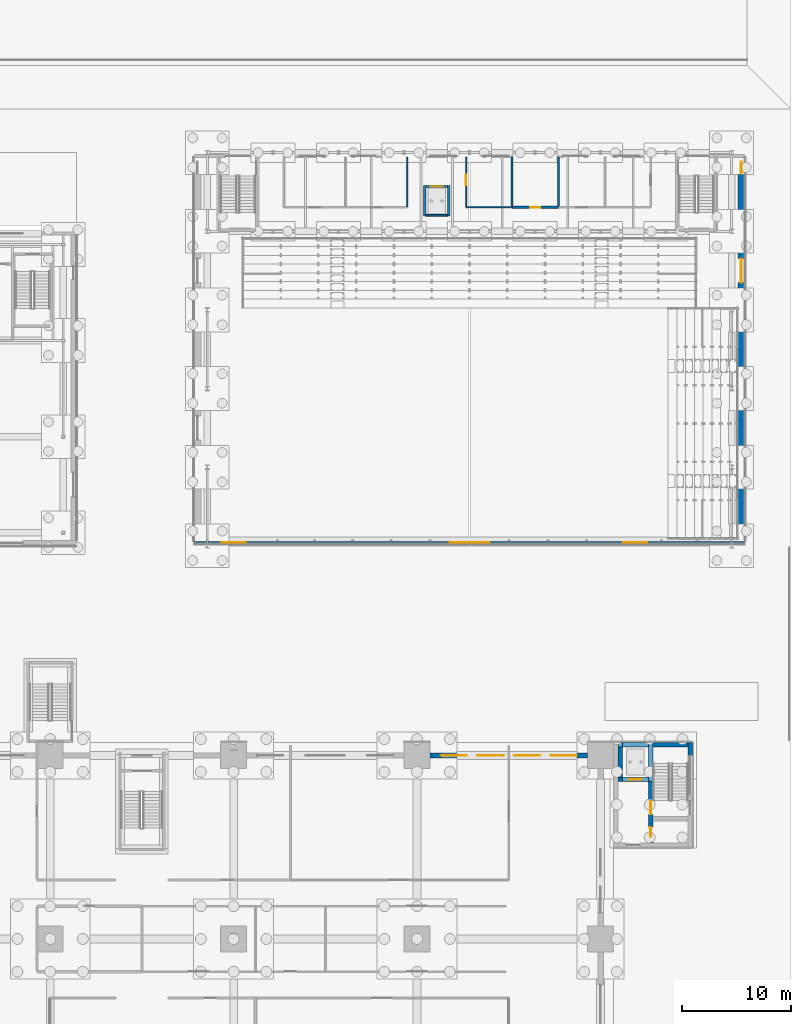
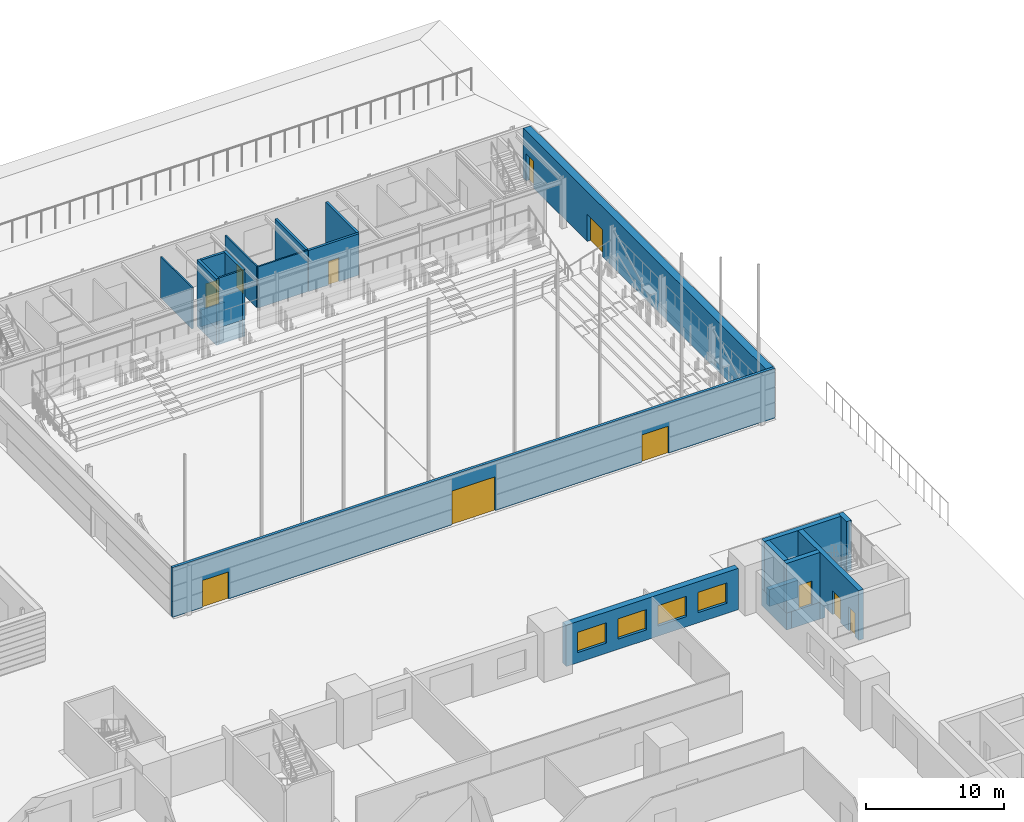
# One storey, part 89 of 139: 26 walls, 11 doors, 4 windows, 15 openings.
"""IFC4 building model written with IfcOpenShell, lengths in metres."""

import ifcopenshell
import ifcopenshell.guid

model = None  # the IFC model being written
_history = None  # IfcOwnerHistory: only IFC2X3 demands one
_inside = {}  # id of a spatial element -> (the spatial element, [elements in it])
_under = {}  # id of a project, library or spatial element -> (it, [spatial elements below it])
_declared = {}  # id of a project -> (the project, [libraries it declares])
_typed = {}  # id of a type object -> (the type object, [elements of that type])
_made_of = {}  # id of a material, layer set ... -> (it, [elements and type objects made of it])


def new_model(schema):
    """Start an empty IFC model of exactly this schema.

    Asked for "IFC4X3", IfcOpenShell would pick the latest addendum, in which some entities
    have other attributes; the version numbers below select the first issue.
    IFC2X3 requires an IfcOwnerHistory on every rooted entity: one is made here for all.
    """
    global model, _history
    if schema == "IFC4X3":
        model = ifcopenshell.file(schema_version=(4, 3, 0, 0))
    else:
        model = ifcopenshell.file(schema=schema)
    _inside.clear()
    _under.clear()
    _declared.clear()
    _typed.clear()
    _made_of.clear()
    _history = None
    if model.schema == "IFC2X3":
        org = make("IfcOrganization", Name="unknown")
        user = make(
            "IfcPersonAndOrganization",
            ThePerson=make("IfcPerson", FamilyName="unknown"),
            TheOrganization=org,
        )
        app = make(
            "IfcApplication",
            ApplicationDeveloper=org,
            Version="unknown",
            ApplicationFullName="unknown",
            ApplicationIdentifier="unknown",
        )
        _history = make(
            "IfcOwnerHistory",
            OwningUser=user,
            OwningApplication=app,
            ChangeAction="ADDED",
            CreationDate=0,
        )
    return model


def make(cls, **values):
    """One entity of the class cls with the attributes given. An attribute that is None is left unset."""
    return model.create_entity(
        cls, **{name: value for name, value in values.items() if value is not None}
    )


def rooted(cls, **values):
    """An entity with a GlobalId (a new one), such as an element, a storey or a relation."""
    return make(cls, GlobalId=ifcopenshell.guid.new(), OwnerHistory=_history, **values)


def si_unit(unit_type, name, prefix=None):
    """IfcSIUnit, for example si_unit("LENGTHUNIT", "METRE", prefix="MILLI")."""
    return make("IfcSIUnit", UnitType=unit_type, Prefix=prefix, Name=name)


def assignment(units):
    """IfcUnitAssignment: the units of a project."""
    return None if units is None else make("IfcUnitAssignment", Units=units)


def point(xyz):
    """IfcCartesianPoint."""
    return None if xyz is None else make("IfcCartesianPoint", Coordinates=xyz)


def direction(xyz):
    """IfcDirection."""
    return None if xyz is None else make("IfcDirection", DirectionRatios=xyz)


def frame(location, z_axis=None, x_axis=None):
    """IfcAxis2Placement3D, a coordinate frame: its origin and axes. An axis left out is left unset."""
    return make(
        "IfcAxis2Placement3D",
        Location=point(location),
        Axis=direction(z_axis),
        RefDirection=direction(x_axis),
    )


def frame_2d(location, x_axis=None):
    """IfcAxis2Placement2D, a coordinate frame in the plane: its origin and x axis."""
    return make(
        "IfcAxis2Placement2D", Location=point(location), RefDirection=direction(x_axis)
    )


def origin():
    """The frame at (0, 0, 0) with its axes left unset."""
    return frame((0.0, 0.0, 0.0))


def place(relative_to, where):
    """IfcLocalPlacement: puts the frame where relative to a parent placement (None: the world)."""
    return make(
        "IfcLocalPlacement", PlacementRelTo=relative_to, RelativePlacement=where
    )


def context(
    kind, dimensions, precision=None, world=None, true_north=None, identifier=None
):
    """IfcGeometricRepresentationContext, for example the 3D "Model" context."""
    return make(
        "IfcGeometricRepresentationContext",
        ContextIdentifier=identifier,
        ContextType=kind,
        CoordinateSpaceDimension=dimensions,
        Precision=precision,
        WorldCoordinateSystem=world,
        TrueNorth=true_north,
    )


def subcontext(parent, identifier, kind, view, scale=None):
    """IfcGeometricRepresentationSubContext, for example "Body" below "Model"."""
    return make(
        "IfcGeometricRepresentationSubContext",
        ContextIdentifier=identifier,
        ContextType=kind,
        ParentContext=parent,
        TargetScale=scale,
        TargetView=view,
    )


def project(units=None, contexts=None):
    """IfcProject with its units and contexts."""
    return rooted(
        "IfcProject",
        Name="project",
        RepresentationContexts=contexts,
        UnitsInContext=assignment(units),
    )


def spatial(cls, under=None, at=None, **own):
    """A site, building, storey or space (cls), placed at a placement, below another one or the project."""
    s = rooted(cls, ObjectPlacement=at, **own)
    if under is not None:
        _under.setdefault(under.id(), (under, []))[1].append(s)
    return s


def profile(cls, at=None, kind="AREA", **sizes):
    """A parametric profile (cls). Its sizes go by their IFC names, for example OverallWidth=200.0."""
    return make(cls, ProfileType=kind, Position=at, **sizes)


def rectangle(**sizes):
    """IfcRectangleProfileDef."""
    return profile("IfcRectangleProfileDef", **sizes)


def extrude(swept, where, along, depth):
    """IfcExtrudedAreaSolid: the profile swept, set in the frame where, extruded along a direction by depth."""
    return make(
        "IfcExtrudedAreaSolid",
        SweptArea=swept,
        Position=where,
        ExtrudedDirection=direction(along),
        Depth=depth,
    )


def shape(context_of_items, identifier, shape_type, items):
    """IfcShapeRepresentation: the items that make up one representation, for example the "Body"."""
    return make(
        "IfcShapeRepresentation",
        ContextOfItems=context_of_items,
        RepresentationIdentifier=identifier,
        RepresentationType=shape_type,
        Items=items,
    )


def material(Name=None, Category=None):
    """IfcMaterial."""
    return make("IfcMaterial", Name=Name, Category=Category)


def layer(
    of_material, thickness, ventilated=None, Name=None, Category=None, Priority=None
):
    """IfcMaterialLayer: one layer of a wall or slab, of a material (None: an air gap)."""
    return make(
        "IfcMaterialLayer",
        Material=of_material,
        LayerThickness=thickness,
        IsVentilated=ventilated,
        Name=Name,
        Category=Category,
        Priority=Priority,
    )


def layer_set(layers, Name=None):
    """IfcMaterialLayerSet."""
    return make("IfcMaterialLayerSet", MaterialLayers=layers, LayerSetName=Name)


def made_of(thing, what):
    """Note that an element or type object is made of a material, layer set ...; save() writes the relation."""
    if what is not None:
        _made_of.setdefault(what.id(), (what, []))[1].append(thing)
    return thing


def type_object(cls, material=None, **own):
    """A type object (cls), such as IfcWallType, which elements share."""
    return made_of(rooted(cls, **own), material)


def element(
    cls,
    number,
    at=None,
    inside=None,
    cuts=None,
    type_object=None,
    material=None,
    context=None,
    identifier="Body",
    shape_type=None,
    held_by="IfcProductDefinitionShape",
    body=None,
    shapes=None,
    **own,
):
    """One element of the class cls, such as IfcWall. Its Tag is "e" and its number.

    at: its placement. inside: the storey or other place that contains it. cuts: it is an
    opening in that element (IfcRelVoidsElement). A single representation is given by context,
    identifier, shape_type and body (its items); several are given by shapes. held_by: the class
    of the entity that holds the representations. save() writes the other relations.
    """
    e = rooted(cls, Tag="e%d" % number, ObjectPlacement=at, **own)
    if body is not None:
        shapes = [shape(context, identifier, shape_type, body)]
    if shapes is not None:
        e.Representation = make(held_by, Representations=shapes)
    if inside is not None:
        _inside.setdefault(inside.id(), (inside, []))[1].append(e)
    if cuts is not None:
        rooted(
            "IfcRelVoidsElement", RelatingBuildingElement=cuts, RelatedOpeningElement=e
        )
    if type_object is not None:
        _typed.setdefault(type_object.id(), (type_object, []))[1].append(e)
    return made_of(e, material)


def fill(opening, filler):
    """IfcRelFillsElement: the door or window that sits in an opening."""
    return rooted(
        "IfcRelFillsElement",
        RelatingOpeningElement=opening,
        RelatedBuildingElement=filler,
    )


def aggregate(whole, parts):
    """IfcRelAggregates: a whole, such as a stair, and the parts it consists of."""
    return rooted("IfcRelAggregates", RelatingObject=whole, RelatedObjects=parts)


def save(model, path):
    """Write the relations noted so far, then the file.

    IfcRelAggregates (storeys below a building ...), IfcRelContainedInSpatialStructure (elements
    in a storey), IfcRelDefinesByType, IfcRelAssociatesMaterial and IfcRelDeclares: one each for
    every whole, place, type object, material and project.
    """
    for whole, parts in _under.values():
        aggregate(whole, parts)
    for where, things in _inside.values():
        rooted(
            "IfcRelContainedInSpatialStructure",
            RelatedElements=things,
            RelatingStructure=where,
        )
    for kind, things in _typed.values():
        rooted("IfcRelDefinesByType", RelatedObjects=things, RelatingType=kind)
    for what, things in _made_of.values():
        rooted("IfcRelAssociatesMaterial", RelatedObjects=things, RelatingMaterial=what)
    for by, libraries in _declared.values():
        rooted("IfcRelDeclares", RelatingContext=by, RelatedDefinitions=libraries)
    model.write(path)


model = new_model("IFC4")

# Units and contexts
model_context = context("Model", 3, precision=1e-05, world=origin(), true_north=direction((0.0, 1.0)))
body_context = subcontext(model_context, "Body", "Model", "MODEL_VIEW")
ifc_project = project(units=[si_unit("LENGTHUNIT", "METRE"), si_unit("AREAUNIT", "SQUARE_METRE"), si_unit("VOLUMEUNIT", "CUBIC_METRE"), si_unit("PLANEANGLEUNIT", "RADIAN"), si_unit("MASSUNIT", "GRAM", prefix="KILO")], contexts=[model_context])

# Site, building, storey
site_placement = place(None, origin())
site = spatial("IfcSite", under=ifc_project, at=site_placement, CompositionType="ELEMENT")
building_placement = place(site_placement, origin())
building = spatial("IfcBuilding", under=site, at=building_placement, Name="Verrick Yard Athletic Hall", CompositionType="ELEMENT")
storey_placement = place(building_placement, origin())
storey = spatial("IfcBuildingStorey", under=building, at=storey_placement, Name="L00", CompositionType="ELEMENT", Elevation=0.0)

# Wall, openings, doors
ifc_material_1 = material(Name="Concrete 35 MPa", Category="concrete")
ifc_layer_1 = layer(ifc_material_1, 0.39990234375)
ifc_layer_set_1 = layer_set([ifc_layer_1], Name="Core wall CR400")
wall_type_1 = type_object("IfcWallType", Name="Core wall CR400", PredefinedType="SHEAR", material=ifc_layer_set_1)
wall_1_placement = place(storey_placement, frame((162.199951171875, 44.800048828125, 0.0), z_axis=(0.0, 0.0, 1.0), x_axis=(0.0, 1.0, 0.0)))
wall_1 = element("IfcWall", 1, at=wall_1_placement, inside=storey, type_object=wall_type_1, Name="CORE-CB4-WP-L00", PredefinedType="SHEAR", context=body_context, shape_type="SweptSolid", body=[
    extrude(rectangle(XDim=8.800048828125, YDim=0.39990234375, at=frame_2d((4.39990234375, 0.0))), origin(), (0.0, 0.0, 1.0), 4.39990234375),
])
opening_1_placement = place(wall_1_placement, frame((2.60009765625, 0.0, 0.0)))
opening_1 = element("IfcOpeningElement", 2, at=opening_1_placement, cuts=wall_1, Name="Opening SD1", PredefinedType="OPENING", context=body_context, shape_type="SweptSolid", body=[
    extrude(rectangle(XDim=1.199951171875, YDim=2.10009765625, at=frame_2d((0.60009765625, 1.050048828125))), frame((0.0, 0.2099609375, 0.0), z_axis=(0.0, -1.0, 0.0), x_axis=(1.0, 0.0, 0.0)), (0.0, 0.0, 1.0), 0.419921875),
])
opening_2_placement = place(wall_1_placement, frame((0.550048828125, 0.0, 0.0)))
opening_2 = element("IfcOpeningElement", 3, at=opening_2_placement, cuts=wall_1, Name="Opening RD1", PredefinedType="OPENING", context=body_context, shape_type="SweptSolid", body=[
    extrude(rectangle(XDim=0.89990234375, YDim=2.10009765625, at=frame_2d((0.449951171875, 1.050048828125))), frame((0.0, 0.2099609375, 0.0), z_axis=(0.0, -1.0, 0.0), x_axis=(1.0, 0.0, 0.0)), (0.0, 0.0, 1.0), 0.419921875),
])
ifc_material_2 = material(Name="Hollow metal door leaf")
door_type_1 = type_object("IfcDoorType", Name="Core door RD1 900x2100", OperationType="NOTDEFINED", PredefinedType="DOOR", material=ifc_material_2)
door_1_placement = place(opening_2_placement, origin())
door_1 = element("IfcDoor", 4, at=door_1_placement, inside=storey, type_object=door_type_1, Name="CORE-CB4-WP-L00-DRD1-4580", OperationType="SINGLE_SWING_LEFT", OverallHeight=2.10009765625, OverallWidth=0.89990234375, PredefinedType="DOOR", context=body_context, shape_type="SweptSolid", body=[
    extrude(rectangle(XDim=0.89990234375, YDim=2.10009765625, at=frame_2d((0.449951171875, 1.050048828125))), frame((0.0, 0.02490234375, 0.0), z_axis=(0.0, -1.0, 0.0), x_axis=(1.0, 0.0, 0.0)), (0.0, 0.0, 1.0), 0.050048828125),
])
fill(opening_2, door_1)
door_type_2 = type_object("IfcDoorType", Name="Core door SD1 1200x2100", OperationType="NOTDEFINED", PredefinedType="DOOR", material=ifc_material_2)
door_2_placement = place(opening_1_placement, origin())
door_2 = element("IfcDoor", 5, at=door_2_placement, inside=storey, type_object=door_type_2, Name="CORE-CB4-WP-L00-DSD1-4800", OperationType="SINGLE_SWING_LEFT", OverallHeight=2.10009765625, OverallWidth=1.199951171875, PredefinedType="DOOR", context=body_context, shape_type="SweptSolid", body=[
    extrude(rectangle(XDim=1.199951171875, YDim=2.10009765625, at=frame_2d((0.60009765625, 1.050048828125))), frame((0.0, 0.02490234375, 0.0), z_axis=(0.0, -1.0, 0.0), x_axis=(1.0, 0.0, 0.0)), (0.0, 0.0, 1.0), 0.050048828125),
])
fill(opening_1, door_2)

# Wall, opening, door
wall_2_placement = place(storey_placement, frame((159.199951171875, 50.60009765625, 0.0), z_axis=(0.0, 0.0, 1.0), x_axis=(1.0, 0.0, 0.0)))
wall_2 = element("IfcWall", 6, at=wall_2_placement, inside=storey, type_object=wall_type_1, Name="CORE-CB4-WLN-L00", PredefinedType="SHEAR", context=body_context, shape_type="SweptSolid", body=[
    extrude(rectangle(XDim=2.800048828125, YDim=0.39990234375, at=frame_2d((1.39990234375, 0.0))), origin(), (0.0, 0.0, 1.0), 4.39990234375),
])
opening_3_placement = place(wall_2_placement, frame((1.050048828125, 0.0, 0.0)))
opening_3 = element("IfcOpeningElement", 7, at=opening_3_placement, cuts=wall_2, Name="Opening LD", PredefinedType="OPENING", context=body_context, shape_type="SweptSolid", body=[
    extrude(rectangle(XDim=1.10009765625, YDim=2.10009765625, at=frame_2d((0.550048828125, 1.050048828125))), frame((0.0, 0.2099609375, 0.0), z_axis=(0.0, -1.0, 0.0), x_axis=(1.0, 0.0, 0.0)), (0.0, 0.0, 1.0), 0.419921875),
])
ifc_material_3 = material(Name="Stainless steel landing door", Category="steel")
door_type_3 = type_object("IfcDoorType", Name="Lift landing door LD 1100x2100", OperationType="NOTDEFINED", PredefinedType="DOOR", material=ifc_material_3)
door_3_placement = place(opening_3_placement, origin())
door_3 = element("IfcDoor", 8, at=door_3_placement, inside=storey, type_object=door_type_3, Name="Lift landing door", OperationType="SLIDING_TO_LEFT", OverallHeight=2.10009765625, OverallWidth=1.10009765625, PredefinedType="DOOR", context=body_context, shape_type="SweptSolid", body=[
    extrude(rectangle(XDim=1.10009765625, YDim=2.10009765625, at=frame_2d((0.550048828125, 1.050048828125))), frame((0.0, 0.02490234375, 0.0), z_axis=(0.0, -1.0, 0.0), x_axis=(1.0, 0.0, 0.0)), (0.0, 0.0, 1.0), 0.050048828125),
])
fill(opening_3, door_3)

# Walls
wall_3_placement = place(storey_placement, frame((159.39990234375, 50.800048828125, 0.0), z_axis=(0.0, 0.0, 1.0), x_axis=(0.0, 1.0, 0.0)))
element("IfcWall", 9, at=wall_3_placement, inside=storey, type_object=wall_type_1, Name="CORE-CB4-WLE-L00", PredefinedType="SHEAR", context=body_context, shape_type="SweptSolid", body=[
    extrude(rectangle(XDim=2.800048828125, YDim=0.39990234375, at=frame_2d((1.39990234375, 0.0))), origin(), (0.0, 0.0, 1.0), 4.39990234375),
])
for number, where, z_axis, x_axis, name in (
    (10, (159.39990234375, 50.39990234375, -1.5), (0.0, 0.0, 1.0), (0.0, 1.0, 0.0), "CORE-LF-CB4-PWW"),
    (11, (162.199951171875, 50.39990234375, -1.5), (0.0, 0.0, 1.0), (0.0, 1.0, 0.0), "CORE-LF-CB4-PWE"),
):
    element("IfcWall", number, at=place(storey_placement, frame(where, z_axis=z_axis, x_axis=x_axis)), inside=storey, type_object=wall_type_1, Name=name, PredefinedType="SHEAR", context=body_context, shape_type="SweptSolid", body=[
        extrude(rectangle(XDim=3.60009765625, YDim=0.39990234375, at=frame_2d((1.800048828125, 0.0))), origin(), (0.0, 0.0, 1.0), 1.5),
    ])
for number, where, z_axis, x_axis, name in (
    (12, (159.60009765625, 50.60009765625, -1.5), (0.0, 0.0, 1.0), (1.0, 0.0, 0.0), "CORE-LF-CB4-PWS"),
    (13, (159.60009765625, 53.800048828125, -1.5), (0.0, 0.0, 1.0), (1.0, 0.0, 0.0), "CORE-LF-CB4-PWN"),
):
    element("IfcWall", number, at=place(storey_placement, frame(where, z_axis=z_axis, x_axis=x_axis)), inside=storey, type_object=wall_type_1, Name=name, PredefinedType="SHEAR", context=body_context, shape_type="SweptSolid", body=[
        extrude(rectangle(XDim=2.39990234375, YDim=0.39990234375, at=frame_2d((1.199951171875, 0.0))), origin(), (0.0, 0.0, 1.0), 1.5),
    ])
ifc_layer_2 = layer(ifc_material_1, 0.199951171875)
ifc_layer_set_2 = layer_set([ifc_layer_2], Name="Enclosure wall CR200")
wall_type_2 = type_object("IfcWallType", Name="Enclosure wall CR200", PredefinedType="SOLIDWALL", material=ifc_layer_set_2)
for number, where, z_axis, x_axis, name in (
    (14, (141.5, 102.199951171875, -1.5), (0.0, 0.0, 1.0), (0.0, 1.0, 0.0), "CORE-LF-HA-PWW"),
    (15, (143.699951171875, 102.199951171875, -1.5), (0.0, 0.0, 1.0), (0.0, 1.0, 0.0), "CORE-LF-HA-PWE"),
):
    element("IfcWall", number, at=place(storey_placement, frame(where, z_axis=z_axis, x_axis=x_axis)), inside=storey, type_object=wall_type_2, Name=name, PredefinedType="SOLIDWALL", context=body_context, shape_type="SweptSolid", body=[
        extrude(rectangle(XDim=2.800048828125, YDim=0.199951171875, at=frame_2d((1.39990234375, 0.0))), origin(), (0.0, 0.0, 1.0), 1.5),
    ])
wall_4_placement = place(storey_placement, frame((141.60009765625, 104.89990234375, -1.5), z_axis=(0.0, 0.0, 1.0), x_axis=(1.0, 0.0, 0.0)))
element("IfcWall", 16, at=wall_4_placement, inside=storey, type_object=wall_type_2, Name="CORE-LF-HA-PWN", PredefinedType="SOLIDWALL", context=body_context, shape_type="SweptSolid", body=[
    extrude(rectangle(XDim=2.0, YDim=0.199951171875, at=frame_2d((1.0, 0.0))), origin(), (0.0, 0.0, 1.0), 1.5),
])
for number, where, z_axis, x_axis, name in (
    (17, (141.5, 102.199951171875, 0.0), (0.0, 0.0, 1.0), (0.0, 1.0, 0.0), "CORE-LF-HA-WW-L00"),
    (18, (143.699951171875, 102.199951171875, 0.0), (0.0, 0.0, 1.0), (0.0, 1.0, 0.0), "CORE-LF-HA-WE-L00"),
):
    element("IfcWall", number, at=place(storey_placement, frame(where, z_axis=z_axis, x_axis=x_axis)), inside=storey, type_object=wall_type_2, Name=name, PredefinedType="SOLIDWALL", context=body_context, shape_type="SweptSolid", body=[
        extrude(rectangle(XDim=2.800048828125, YDim=0.199951171875, at=frame_2d((1.39990234375, 0.0))), origin(), (0.0, 0.0, 1.0), 4.39990234375),
    ])

# Wall, opening, door
wall_5_placement = place(storey_placement, frame((141.60009765625, 104.89990234375, 0.0), z_axis=(0.0, 0.0, 1.0), x_axis=(1.0, 0.0, 0.0)))
wall_5 = element("IfcWall", 19, at=wall_5_placement, inside=storey, type_object=wall_type_2, Name="CORE-LF-HA-WN-L00", PredefinedType="SOLIDWALL", context=body_context, shape_type="SweptSolid", body=[
    extrude(rectangle(XDim=2.0, YDim=0.199951171875, at=frame_2d((1.0, 0.0))), origin(), (0.0, 0.0, 1.0), 4.39990234375),
])
opening_4_placement = place(wall_5_placement, frame((0.449951171875, 0.0, 0.0)))
opening_4 = element("IfcOpeningElement", 20, at=opening_4_placement, cuts=wall_5, Name="Opening LD", PredefinedType="OPENING", context=body_context, shape_type="SweptSolid", body=[
    extrude(rectangle(XDim=1.10009765625, YDim=2.10009765625, at=frame_2d((0.550048828125, 1.050048828125))), frame((0.0, 0.10986328125, 0.0), z_axis=(0.0, -1.0, 0.0), x_axis=(1.0, 0.0, 0.0)), (0.0, 0.0, 1.0), 0.219970703125),
])
door_4_placement = place(opening_4_placement, origin())
door_4 = element("IfcDoor", 21, at=door_4_placement, inside=storey, type_object=door_type_3, Name="Lift landing door", OperationType="SLIDING_TO_LEFT", OverallHeight=2.10009765625, OverallWidth=1.10009765625, PredefinedType="DOOR", context=body_context, shape_type="SweptSolid", body=[
    extrude(rectangle(XDim=1.10009765625, YDim=2.10009765625, at=frame_2d((0.550048828125, 1.050048828125))), frame((0.0, 0.02490234375, 0.0), z_axis=(0.0, -1.0, 0.0), x_axis=(1.0, 0.0, 0.0)), (0.0, 0.0, 1.0), 0.050048828125),
])
fill(opening_4, door_4)

# Walls
ifc_layer_3 = layer(ifc_material_1, 0.39990234375)
ifc_layer_set_3 = layer_set([ifc_layer_3], Name="External core wall CR400")
wall_type_3 = type_object("IfcWallType", Name="External core wall CR400", PredefinedType="SHEAR", material=ifc_layer_set_3)
wall_6_placement = place(storey_placement, frame((165.800048828125, 54.0, 0.0), z_axis=(0.0, 0.0, 1.0), x_axis=(0.0, -1.0, 0.0)))
element("IfcWall", 22, at=wall_6_placement, inside=storey, type_object=wall_type_3, Name="CORE-CB4-WW-L00-1", PredefinedType="SHEAR", context=body_context, shape_type="SweptSolid", body=[
    extrude(rectangle(XDim=1.199951171875, YDim=0.39990234375, at=frame_2d((0.60009765625, 0.0))), origin(), (0.0, 0.0, 1.0), 4.39990234375),
])
wall_7_placement = place(storey_placement, frame((159.199951171875, 53.800048828125, 0.0), z_axis=(0.0, 0.0, 1.0), x_axis=(1.0, 0.0, 0.0)))
element("IfcWall", 23, at=wall_7_placement, inside=storey, type_object=wall_type_3, Name="CORE-CB4-WS-L00", PredefinedType="SHEAR", context=body_context, shape_type="SweptSolid", body=[
    extrude(rectangle(XDim=6.400146484375, YDim=0.39990234375, at=frame_2d((3.2001953125, 0.0))), origin(), (0.0, 0.0, 1.0), 4.39990234375),
])

# Wall, openings, doors
ifc_material_4 = material(Name="Tyndall-stone-look precast cladding", Category="masonry")
ifc_layer_4 = layer(ifc_material_4, 0.0625, Name="Tyndall-stone-look precast cladding")
ifc_material_5 = material(Name="Mineral wool insulation")
ifc_layer_5 = layer(ifc_material_5, 0.0625, Name="Mineral wool insulation")
ifc_layer_6 = layer(ifc_material_1, 0.25, Name="Concrete 35 MPa")
ifc_layer_set_4 = layer_set([ifc_layer_4, ifc_layer_5, ifc_layer_6], Name="Gable base wall")
wall_type_4 = type_object("IfcWallType", Name="Gable base wall", PredefinedType="SOLIDWALL", material=ifc_layer_set_4)
wall_8_placement = place(storey_placement, frame((120.39990234375, 72.30126953125, 0.0), z_axis=(0.0, 0.0, 1.0), x_axis=(1.0, 0.0, 0.0)))
wall_8 = element("IfcWall", 24, at=wall_8_placement, inside=storey, type_object=wall_type_4, Name="ENVB-HA-S-L00", PredefinedType="SOLIDWALL", context=body_context, shape_type="SweptSolid", body=[
    extrude(rectangle(XDim=50.400146484375, YDim=0.234375, at=frame_2d((25.2001953125, 0.0))), origin(), (0.0, 0.0, 1.0), 4.39990234375),
])
opening_5_placement = place(wall_8_placement, frame((23.39990234375, 0.0, 0.0)))
opening_5 = element("IfcOpeningElement", 25, at=opening_5_placement, cuts=wall_8, Name="Opening ED25", PredefinedType="OPENING", context=body_context, shape_type="SweptSolid", body=[
    extrude(rectangle(XDim=3.60009765625, YDim=3.0, at=frame_2d((1.800048828125, 1.5))), frame((0.0, 0.127197265625, 0.0), z_axis=(0.0, -1.0, 0.0), x_axis=(1.0, 0.0, 0.0)), (0.0, 0.0, 1.0), 0.25439453125),
])
opening_6_placement = place(wall_8_placement, frame((2.5, 0.0, 0.0)))
opening_6 = element("IfcOpeningElement", 26, at=opening_6_placement, cuts=wall_8, Name="Opening ED23", PredefinedType="OPENING", context=body_context, shape_type="SweptSolid", body=[
    extrude(rectangle(XDim=2.199951171875, YDim=2.39990234375, at=frame_2d((1.10009765625, 1.199951171875))), frame((0.0, 0.127197265625, 0.0), z_axis=(0.0, -1.0, 0.0), x_axis=(1.0, 0.0, 0.0)), (0.0, 0.0, 1.0), 0.25439453125),
])
opening_7_placement = place(wall_8_placement, frame((39.300048828125, 0.0, 0.0)))
opening_7 = element("IfcOpeningElement", 27, at=opening_7_placement, cuts=wall_8, Name="Opening ED23", PredefinedType="OPENING", context=body_context, shape_type="SweptSolid", body=[
    extrude(rectangle(XDim=2.199951171875, YDim=2.39990234375, at=frame_2d((1.10009765625, 1.199951171875))), frame((0.0, 0.127197265625, 0.0), z_axis=(0.0, -1.0, 0.0), x_axis=(1.0, 0.0, 0.0)), (0.0, 0.0, 1.0), 0.25439453125),
])
ifc_material_6 = material(Name="Powder-coated aluminium door leaf", Category="aluminium")
door_type_4 = type_object("IfcDoorType", Name="Exterior double door 2200", OperationType="NOTDEFINED", PredefinedType="DOOR", material=ifc_material_6)
door_5_placement = place(opening_6_placement, origin())
door_5 = element("IfcDoor", 28, at=door_5_placement, inside=storey, type_object=door_type_4, Name="Hall exit door AS1", OperationType="DOUBLE_DOOR_SINGLE_SWING", OverallHeight=2.39990234375, OverallWidth=2.199951171875, PredefinedType="DOOR", context=body_context, shape_type="SweptSolid", body=[
    extrude(rectangle(XDim=2.199951171875, YDim=2.39990234375, at=frame_2d((1.10009765625, 1.199951171875))), frame((0.0, 0.02490234375, 0.0), z_axis=(0.0, -1.0, 0.0), x_axis=(1.0, 0.0, 0.0)), (0.0, 0.0, 1.0), 0.050048828125),
])
fill(opening_6, door_5)
door_6_placement = place(opening_7_placement, origin())
door_6 = element("IfcDoor", 29, at=door_6_placement, inside=storey, type_object=door_type_4, Name="Hall exit door AS2", OperationType="DOUBLE_DOOR_SINGLE_SWING", OverallHeight=2.39990234375, OverallWidth=2.199951171875, PredefinedType="DOOR", context=body_context, shape_type="SweptSolid", body=[
    extrude(rectangle(XDim=2.199951171875, YDim=2.39990234375, at=frame_2d((1.10009765625, 1.199951171875))), frame((0.0, 0.02490234375, 0.0), z_axis=(0.0, -1.0, 0.0), x_axis=(1.0, 0.0, 0.0)), (0.0, 0.0, 1.0), 0.050048828125),
])
fill(opening_7, door_6)
ifc_material_7 = material(Name="Anodised aluminium glazed door leaf", Category="aluminium")
door_type_5 = type_object("IfcDoorType", Name="Exterior hall entrance door 3600", OperationType="NOTDEFINED", PredefinedType="DOOR", material=ifc_material_7)
door_7_placement = place(opening_5_placement, origin())
door_7 = element("IfcDoor", 30, at=door_7_placement, inside=storey, type_object=door_type_5, Name="Hall entrance E4", OperationType="DOUBLE_DOOR_SLIDING", OverallHeight=3.0, OverallWidth=3.60009765625, PredefinedType="DOOR", context=body_context, shape_type="SweptSolid", body=[
    extrude(rectangle(XDim=3.60009765625, YDim=3.0, at=frame_2d((1.800048828125, 1.5))), frame((0.0, 0.02490234375, 0.0), z_axis=(0.0, -1.0, 0.0), x_axis=(1.0, 0.0, 0.0)), (0.0, 0.0, 1.0), 0.050048828125),
])
fill(opening_5, door_7)

ifc_layer_7 = layer(ifc_material_4, 0.125, Name="Tyndall-stone-look precast cladding")
ifc_layer_8 = layer(ifc_material_5, 0.25, Name="Mineral wool insulation")
ifc_layer_9 = layer(ifc_material_1, 0.25, Name="Concrete 35 MPa")
ifc_layer_set_5 = layer_set([ifc_layer_7, ifc_layer_8, ifc_layer_9], Name="Hall base wall")
wall_type_5 = type_object("IfcWallType", Name="Hall base wall", PredefinedType="SOLIDWALL", material=ifc_layer_set_5)
wall_9_placement = place(storey_placement, frame((170.487548828125, 72.41845703125, 0.0), z_axis=(0.0, 0.0, 1.0), x_axis=(0.0, 1.0, 0.0)))
wall_9 = element("IfcWall", 31, at=wall_9_placement, inside=storey, type_object=wall_type_5, Name="ENVB-HA-E-L00", PredefinedType="SOLIDWALL", context=body_context, shape_type="SweptSolid", body=[
    extrude(rectangle(XDim=35.1630859375, YDim=0.625, at=frame_2d((17.58154296875, 0.0))), origin(), (0.0, 0.0, 1.0), 4.39990234375),
])
opening_8_placement = place(wall_9_placement, frame((23.6826171875, 0.0, 0.0)))
opening_8 = element("IfcOpeningElement", 32, at=opening_8_placement, cuts=wall_9, Name="Opening ED23", PredefinedType="OPENING", context=body_context, shape_type="SweptSolid", body=[
    extrude(rectangle(XDim=2.199951171875, YDim=2.39990234375, at=frame_2d((1.10009765625, 1.199951171875))), frame((0.0, 0.322509765625, 0.0), z_axis=(0.0, -1.0, 0.0), x_axis=(1.0, 0.0, 0.0)), (0.0, 0.0, 1.0), 0.64501953125),
])
opening_9_placement = place(wall_9_placement, frame((33.632568359375, 0.0, 0.0)))
opening_9 = element("IfcOpeningElement", 33, at=opening_9_placement, cuts=wall_9, Name="Opening ED22", PredefinedType="OPENING", context=body_context, shape_type="SweptSolid", body=[
    extrude(rectangle(XDim=1.10009765625, YDim=2.39990234375, at=frame_2d((0.550048828125, 1.199951171875))), frame((0.0, 0.322509765625, 0.0), z_axis=(0.0, -1.0, 0.0), x_axis=(1.0, 0.0, 0.0)), (0.0, 0.0, 1.0), 0.64501953125),
])
door_8_placement = place(opening_8_placement, origin())
door_8 = element("IfcDoor", 34, at=door_8_placement, inside=storey, type_object=door_type_4, Name="Hall exit door AE1", OperationType="DOUBLE_DOOR_SINGLE_SWING", OverallHeight=2.39990234375, OverallWidth=2.199951171875, PredefinedType="DOOR", context=body_context, shape_type="SweptSolid", body=[
    extrude(rectangle(XDim=2.199951171875, YDim=2.39990234375, at=frame_2d((1.10009765625, 1.199951171875))), frame((0.0, 0.02490234375, 0.0), z_axis=(0.0, -1.0, 0.0), x_axis=(1.0, 0.0, 0.0)), (0.0, 0.0, 1.0), 0.050048828125),
])
fill(opening_8, door_8)
door_type_6 = type_object("IfcDoorType", Name="Exterior single door 1100", OperationType="NOTDEFINED", PredefinedType="DOOR", material=ifc_material_6)
door_9_placement = place(opening_9_placement, origin())
door_9 = element("IfcDoor", 35, at=door_9_placement, inside=storey, type_object=door_type_6, Name="Band stair exit door AE", OperationType="SINGLE_SWING_RIGHT", OverallHeight=2.39990234375, OverallWidth=1.10009765625, PredefinedType="DOOR", context=body_context, shape_type="SweptSolid", body=[
    extrude(rectangle(XDim=1.10009765625, YDim=2.39990234375, at=frame_2d((0.550048828125, 1.199951171875))), frame((0.0, 0.02490234375, 0.0), z_axis=(0.0, -1.0, 0.0), x_axis=(1.0, 0.0, 0.0)), (0.0, 0.0, 1.0), 0.050048828125),
])
fill(opening_9, door_9)

# Wall, opening, door
ifc_material_8 = material(Name="Concrete masonry block 15 MPa", Category="masonry")
ifc_layer_10 = layer(ifc_material_8, 0.199951171875)
ifc_layer_set_6 = layer_set([ifc_layer_10], Name="PW1 Block partition 200")
wall_type_6 = type_object("IfcWallType", Name="PW1 Block partition 200", PredefinedType="PARTITIONING", material=ifc_layer_set_6)
wall_10_placement = place(storey_placement, frame((149.5, 103.0, 0.0), z_axis=(0.0, 0.0, 1.0), x_axis=(1.0, 0.0, 0.0)))
wall_10 = element("IfcWall", 36, at=wall_10_placement, inside=storey, type_object=wall_type_6, Name="Partition PW1", PredefinedType="PARTITIONING", context=body_context, shape_type="SweptSolid", body=[
    extrude(rectangle(XDim=4.25, YDim=0.199951171875, at=frame_2d((2.125, 0.0))), origin(), (0.0, 0.0, 1.0), 3.64990234375),
])
opening_10_placement = place(wall_10_placement, frame((1.675048828125, 0.0, 0.0)))
opening_10 = element("IfcOpeningElement", 37, at=opening_10_placement, cuts=wall_10, Name="Opening D2", PredefinedType="OPENING", context=body_context, shape_type="SweptSolid", body=[
    extrude(rectangle(XDim=0.89990234375, YDim=2.10009765625, at=frame_2d((0.449951171875, 1.050048828125))), frame((0.0, 0.10986328125, 0.0), z_axis=(0.0, -1.0, 0.0), x_axis=(1.0, 0.0, 0.0)), (0.0, 0.0, 1.0), 0.219970703125),
])
ifc_material_9 = material(Name="Timber door leaf in steel frame", Category="steel")
door_type_7 = type_object("IfcDoorType", Name="D2 Single door 900 x 2100", OperationType="NOTDEFINED", PredefinedType="DOOR", material=ifc_material_9)
door_10_placement = place(opening_10_placement, origin())
door_10 = element("IfcDoor", 38, at=door_10_placement, inside=storey, type_object=door_type_7, Name="D2 Equipment Store A", OperationType="SINGLE_SWING_LEFT", OverallHeight=2.10009765625, OverallWidth=0.89990234375, PredefinedType="DOOR", context=body_context, shape_type="SweptSolid", body=[
    extrude(rectangle(XDim=0.89990234375, YDim=2.10009765625, at=frame_2d((0.449951171875, 1.050048828125))), frame((0.0, 0.02490234375, 0.0), z_axis=(0.0, -1.0, 0.0), x_axis=(1.0, 0.0, 0.0)), (0.0, 0.0, 1.0), 0.050048828125),
])
fill(opening_10, door_10)

# Walls
for number, where, z_axis, x_axis, name in (
    (39, (149.5, 103.10009765625, 0.0), (0.0, 0.0, 1.0), (0.0, 1.0, 0.0), "Partition PW1"),
    (40, (153.75, 103.10009765625, 0.0), (0.0, 0.0, 1.0), (0.0, 1.0, 0.0), "Partition PW1"),
):
    element("IfcWall", number, at=place(storey_placement, frame(where, z_axis=z_axis, x_axis=x_axis)), inside=storey, type_object=wall_type_6, Name=name, PredefinedType="PARTITIONING", context=body_context, shape_type="SweptSolid", body=[
        extrude(rectangle(XDim=4.491455078125, YDim=0.199951171875, at=frame_2d((2.24560546875, 0.0))), origin(), (0.0, 0.0, 1.0), 3.64990234375),
    ])
ifc_material_10 = material(Name="Gypsum plasterboard on light-gauge studs")
ifc_layer_11 = layer(ifc_material_10, 0.125)
ifc_layer_set_7 = layer_set([ifc_layer_11], Name="PW2 Stud partition 125")
wall_type_7 = type_object("IfcWallType", Name="PW2 Stud partition 125", PredefinedType="PARTITIONING", material=ifc_layer_set_7)
wall_11_placement = place(storey_placement, frame((145.300048828125, 103.0, 0.0), z_axis=(0.0, 0.0, 1.0), x_axis=(1.0, 0.0, 0.0)))
element("IfcWall", 41, at=wall_11_placement, inside=storey, type_object=wall_type_7, Name="Partition PW2", PredefinedType="PARTITIONING", context=body_context, shape_type="SweptSolid", body=[
    extrude(rectangle(XDim=4.199951171875, YDim=0.125, at=frame_2d((2.10009765625, 0.0))), origin(), (0.0, 0.0, 1.0), 3.64990234375),
])
wall_12_placement = place(storey_placement, frame((139.89990234375, 103.0625, 0.0), z_axis=(0.0, 0.0, 1.0), x_axis=(0.0, 1.0, 0.0)))
element("IfcWall", 42, at=wall_12_placement, inside=storey, type_object=wall_type_7, Name="Partition PW2", PredefinedType="PARTITIONING", context=body_context, shape_type="SweptSolid", body=[
    extrude(rectangle(XDim=4.529052734375, YDim=0.125, at=frame_2d((2.2646484375, 0.0))), origin(), (0.0, 0.0, 1.0), 3.64990234375),
])

# Wall, opening, door
wall_13_placement = place(storey_placement, frame((145.300048828125, 103.0625, 0.0), z_axis=(0.0, 0.0, 1.0), x_axis=(0.0, 1.0, 0.0)))
wall_13 = element("IfcWall", 43, at=wall_13_placement, inside=storey, type_object=wall_type_7, Name="Partition PW2", PredefinedType="PARTITIONING", context=body_context, shape_type="SweptSolid", body=[
    extrude(rectangle(XDim=4.529052734375, YDim=0.125, at=frame_2d((2.2646484375, 0.0))), origin(), (0.0, 0.0, 1.0), 3.64990234375),
])
opening_11_placement = place(wall_13_placement, frame((1.93798828125, 0.0, 0.0)))
opening_11 = element("IfcOpeningElement", 44, at=opening_11_placement, cuts=wall_13, Name="Opening D1", PredefinedType="OPENING", context=body_context, shape_type="SweptSolid", body=[
    extrude(rectangle(XDim=1.0, YDim=2.10009765625, at=frame_2d((0.5, 1.050048828125))), frame((0.0, 0.072509765625, 0.0), z_axis=(0.0, -1.0, 0.0), x_axis=(1.0, 0.0, 0.0)), (0.0, 0.0, 1.0), 0.14501953125),
])
door_type_8 = type_object("IfcDoorType", Name="D1 Single door 1000 x 2100", OperationType="NOTDEFINED", PredefinedType="DOOR", material=ifc_material_9)
door_11_placement = place(opening_11_placement, origin())
door_11 = element("IfcDoor", 45, at=door_11_placement, inside=storey, type_object=door_type_8, Name="D1 Referees Changing Room A", OperationType="SINGLE_SWING_LEFT", OverallHeight=2.10009765625, OverallWidth=1.0, PredefinedType="DOOR", context=body_context, shape_type="SweptSolid", body=[
    extrude(rectangle(XDim=1.0, YDim=2.10009765625, at=frame_2d((0.5, 1.050048828125))), frame((0.0, 0.02490234375, 0.0), z_axis=(0.0, -1.0, 0.0), x_axis=(1.0, 0.0, 0.0)), (0.0, 0.0, 1.0), 0.050048828125),
])
fill(opening_11, door_11)

# Wall, openings, windows
ifc_material_11 = material(Name="Rusticated limestone cladding", Category="masonry")
ifc_layer_12 = layer(ifc_material_11, 0.10009765625, Name="Rusticated limestone cladding")
ifc_layer_13 = layer(ifc_material_5, 0.10009765625, Name="Mineral wool insulation")
ifc_layer_14 = layer(ifc_material_1, 0.300048828125, Name="Concrete 35 MPa")
ifc_layer_set_8 = layer_set([ifc_layer_12, ifc_layer_13, ifc_layer_14], Name="Rusticated base wall 500")
wall_type_8 = type_object("IfcWallType", Name="Rusticated base wall 500", PredefinedType="SOLIDWALL", material=ifc_layer_set_8)
wall_14_placement = place(storey_placement, frame((142.0, 52.800048828125, 0.0), z_axis=(0.0, 0.0, 1.0), x_axis=(1.0, 0.0, 0.0)))
wall_14 = element("IfcWall", 46, at=wall_14_placement, inside=storey, type_object=wall_type_8, Name="Base wall N7", PredefinedType="SOLIDWALL", context=body_context, shape_type="SweptSolid", body=[
    extrude(rectangle(XDim=14.39990234375, YDim=0.5, at=frame_2d((7.199951171875, 0.0))), origin(), (0.0, 0.0, 1.0), 3.64990234375),
])
opening_12_placement = place(wall_14_placement, frame((0.9599609375, 0.0, 0.89990234375)))
opening_12 = element("IfcOpeningElement", 47, at=opening_12_placement, cuts=wall_14, Name="Opening W1", PredefinedType="OPENING", context=body_context, shape_type="SweptSolid", body=[
    extrude(rectangle(XDim=2.39990234375, YDim=1.800048828125, at=frame_2d((1.199951171875, 0.89990234375))), frame((0.0, 0.260009765625, 0.0), z_axis=(0.0, -1.0, 0.0), x_axis=(1.0, 0.0, 0.0)), (0.0, 0.0, 1.0), 0.52001953125),
])
opening_13_placement = place(wall_14_placement, frame((4.320068359375, 0.0, 0.89990234375)))
opening_13 = element("IfcOpeningElement", 48, at=opening_13_placement, cuts=wall_14, Name="Opening W1", PredefinedType="OPENING", context=body_context, shape_type="SweptSolid", body=[
    extrude(rectangle(XDim=2.39990234375, YDim=1.800048828125, at=frame_2d((1.199951171875, 0.89990234375))), frame((0.0, 0.260009765625, 0.0), z_axis=(0.0, -1.0, 0.0), x_axis=(1.0, 0.0, 0.0)), (0.0, 0.0, 1.0), 0.52001953125),
])
opening_14_placement = place(wall_14_placement, frame((7.679931640625, 0.0, 0.89990234375)))
opening_14 = element("IfcOpeningElement", 49, at=opening_14_placement, cuts=wall_14, Name="Opening W1", PredefinedType="OPENING", context=body_context, shape_type="SweptSolid", body=[
    extrude(rectangle(XDim=2.39990234375, YDim=1.800048828125, at=frame_2d((1.199951171875, 0.89990234375))), frame((0.0, 0.260009765625, 0.0), z_axis=(0.0, -1.0, 0.0), x_axis=(1.0, 0.0, 0.0)), (0.0, 0.0, 1.0), 0.52001953125),
])
opening_15_placement = place(wall_14_placement, frame((11.0400390625, 0.0, 0.89990234375)))
opening_15 = element("IfcOpeningElement", 50, at=opening_15_placement, cuts=wall_14, Name="Opening W1", PredefinedType="OPENING", context=body_context, shape_type="SweptSolid", body=[
    extrude(rectangle(XDim=2.39990234375, YDim=1.800048828125, at=frame_2d((1.199951171875, 0.89990234375))), frame((0.0, 0.260009765625, 0.0), z_axis=(0.0, -1.0, 0.0), x_axis=(1.0, 0.0, 0.0)), (0.0, 0.0, 1.0), 0.52001953125),
])
ifc_material_12 = material(Name="Aluminium frame with double glazing", Category="aluminium")
window_type = type_object("IfcWindowType", Name="Window 2400 x 1800", PartitioningType="NOTDEFINED", PredefinedType="WINDOW", material=ifc_material_12)
window_1_placement = place(opening_12_placement, origin())
window_1 = element("IfcWindow", 51, at=window_1_placement, inside=storey, type_object=window_type, Name="Window N7.1", OverallHeight=1.800048828125, OverallWidth=2.39990234375, PartitioningType="SINGLE_PANEL", PredefinedType="WINDOW", context=body_context, shape_type="SweptSolid", body=[
    extrude(rectangle(XDim=2.39990234375, YDim=1.800048828125, at=frame_2d((1.199951171875, 0.89990234375))), frame((0.0, 0.030029296875, 0.0), z_axis=(0.0, -1.0, 0.0), x_axis=(1.0, 0.0, 0.0)), (0.0, 0.0, 1.0), 0.06005859375),
])
fill(opening_12, window_1)
window_2_placement = place(opening_13_placement, origin())
window_2 = element("IfcWindow", 52, at=window_2_placement, inside=storey, type_object=window_type, Name="Window N7.2", OverallHeight=1.800048828125, OverallWidth=2.39990234375, PartitioningType="SINGLE_PANEL", PredefinedType="WINDOW", context=body_context, shape_type="SweptSolid", body=[
    extrude(rectangle(XDim=2.39990234375, YDim=1.800048828125, at=frame_2d((1.199951171875, 0.89990234375))), frame((0.0, 0.030029296875, 0.0), z_axis=(0.0, -1.0, 0.0), x_axis=(1.0, 0.0, 0.0)), (0.0, 0.0, 1.0), 0.06005859375),
])
fill(opening_13, window_2)
window_3_placement = place(opening_14_placement, origin())
window_3 = element("IfcWindow", 53, at=window_3_placement, inside=storey, type_object=window_type, Name="Window N7.3", OverallHeight=1.800048828125, OverallWidth=2.39990234375, PartitioningType="SINGLE_PANEL", PredefinedType="WINDOW", context=body_context, shape_type="SweptSolid", body=[
    extrude(rectangle(XDim=2.39990234375, YDim=1.800048828125, at=frame_2d((1.199951171875, 0.89990234375))), frame((0.0, 0.030029296875, 0.0), z_axis=(0.0, -1.0, 0.0), x_axis=(1.0, 0.0, 0.0)), (0.0, 0.0, 1.0), 0.06005859375),
])
fill(opening_14, window_3)
window_4_placement = place(opening_15_placement, origin())
window_4 = element("IfcWindow", 54, at=window_4_placement, inside=storey, type_object=window_type, Name="Window N7.4", OverallHeight=1.800048828125, OverallWidth=2.39990234375, PartitioningType="SINGLE_PANEL", PredefinedType="WINDOW", context=body_context, shape_type="SweptSolid", body=[
    extrude(rectangle(XDim=2.39990234375, YDim=1.800048828125, at=frame_2d((1.199951171875, 0.89990234375))), frame((0.0, 0.030029296875, 0.0), z_axis=(0.0, -1.0, 0.0), x_axis=(1.0, 0.0, 0.0)), (0.0, 0.0, 1.0), 0.06005859375),
])
fill(opening_15, window_4)

# Walls
ifc_layer_15 = layer(ifc_material_1, 0.14990234375)
ifc_layer_set_9 = layer_set([ifc_layer_15], Name="Shaft wall CR150")
wall_type_9 = type_object("IfcWallType", Name="Shaft wall CR150", PredefinedType="SOLIDWALL", material=ifc_layer_set_9)
wall_15_placement = place(storey_placement, frame((141.60009765625, 102.27490234375, -1.5), z_axis=(0.0, 0.0, 1.0), x_axis=(1.0, 0.0, 0.0)))
element("IfcWall", 55, at=wall_15_placement, inside=storey, type_object=wall_type_9, Name="CORE-LF-HA-PWS", PredefinedType="SOLIDWALL", context=body_context, shape_type="SweptSolid", body=[
    extrude(rectangle(XDim=2.0, YDim=0.14990234375, at=frame_2d((1.0, 0.0))), origin(), (0.0, 0.0, 1.0), 1.5),
])
wall_16_placement = place(storey_placement, frame((141.60009765625, 102.27490234375, 0.0), z_axis=(0.0, 0.0, 1.0), x_axis=(1.0, 0.0, 0.0)))
element("IfcWall", 56, at=wall_16_placement, inside=storey, type_object=wall_type_9, Name="CORE-LF-HA-WS-L00", PredefinedType="SOLIDWALL", context=body_context, shape_type="SweptSolid", body=[
    extrude(rectangle(XDim=2.0, YDim=0.14990234375, at=frame_2d((1.0, 0.0))), origin(), (0.0, 0.0, 1.0), 4.39990234375),
])

save(model, "model.ifc")
